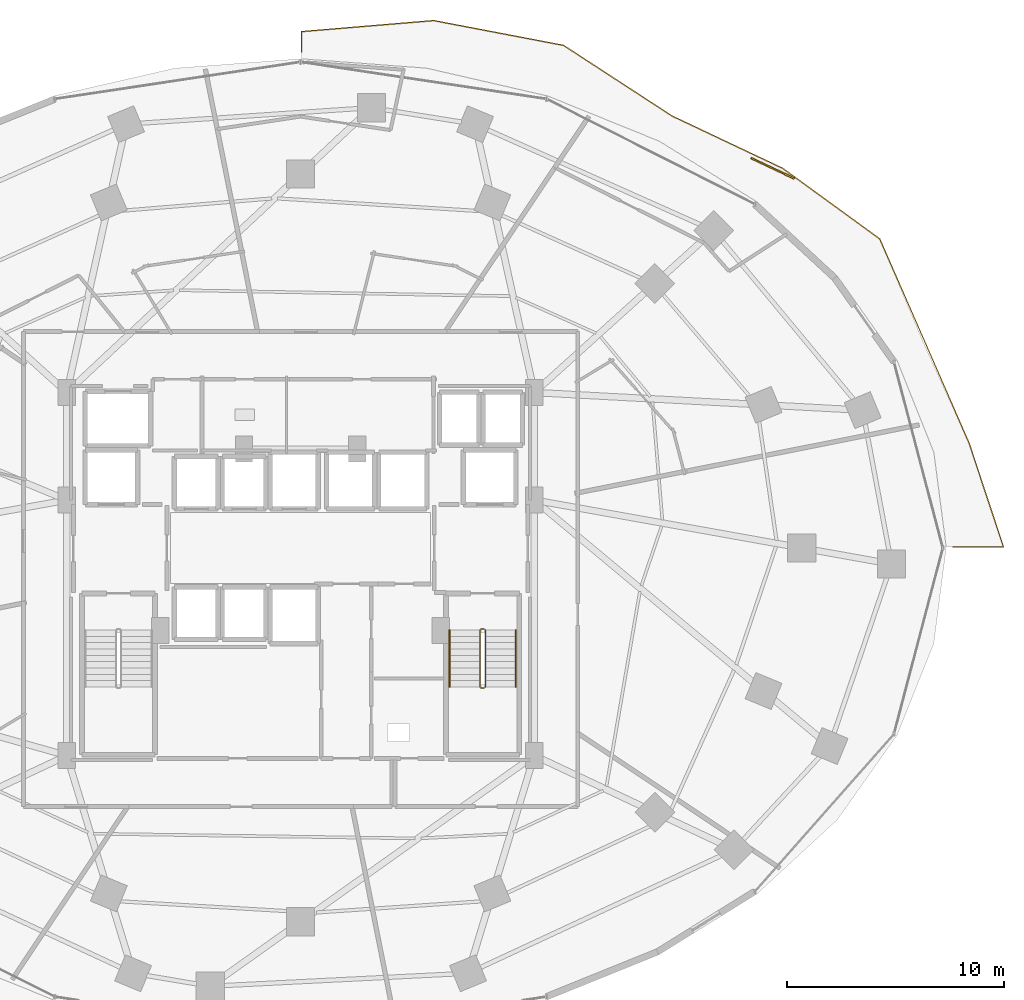
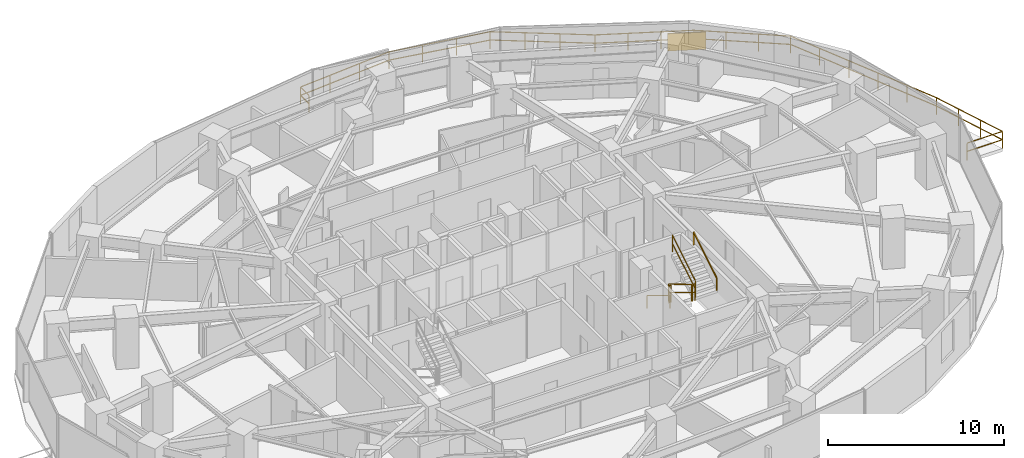
# One storey, part 32 of 33: 8 railings, 1 shading device.
"""IFC4 building model written with IfcOpenShell, lengths in metres."""

from ifc_helpers import new_model, si_unit, direction, frame, origin, origin_2d, place, context, subcontext, project, spatial, rectangle, extrude, material, type_object, element, save


model = new_model("IFC4")

# Units and contexts
model_context = context("Model", 3, precision=1e-05, world=origin(), true_north=direction((0.0, 1.0)))
body_context = subcontext(model_context, "Body", "Model", "MODEL_VIEW")
ifc_project = project(units=[si_unit("LENGTHUNIT", "METRE"), si_unit("AREAUNIT", "SQUARE_METRE"), si_unit("VOLUMEUNIT", "CUBIC_METRE"), si_unit("PLANEANGLEUNIT", "RADIAN"), si_unit("MASSUNIT", "GRAM", prefix="KILO")], contexts=[model_context])

# Site, building, storey
site_placement = place(None, origin())
site = spatial("IfcSite", under=ifc_project, at=site_placement, CompositionType="ELEMENT")
building_placement = place(site_placement, origin())
building = spatial("IfcBuilding", under=site, at=building_placement, Name="Vorneva Point Tower", CompositionType="ELEMENT")
storey_placement = place(building_placement, frame((0.0, 0.0, 34.5)))
storey = spatial("IfcBuildingStorey", under=building, at=storey_placement, Name="L08", CompositionType="ELEMENT", Elevation=34.5)

# Railings
ifc_material_1 = material(Name="Pale anodised aluminium", Category="aluminium")
railing_type_1 = type_object("IfcRailingType", Name="RL-BAL-1200", PredefinedType="BALUSTRADE", material=ifc_material_1)
railing_1_placement = place(storey_placement, frame((38.050048828125, 49.754150390625, 0.0)))
element("IfcRailing", 1, at=railing_1_placement, inside=storey, type_object=railing_type_1, Name="L08 Wave Balcony Balustrade NE.1", PredefinedType="BALUSTRADE", context=body_context, shape_type="SweptSolid", body=[
    extrude(rectangle(XDim=0.048095703125, YDim=0.048095703125, at=origin_2d()), frame((0.0, 0.0, 1.17578125), z_axis=(0.0, -1.0, 0.0), x_axis=(1.0, 0.0, 0.0)), (0.0, 0.0, 1.0), 0.93701171875),
    extrude(rectangle(XDim=0.048095703125, YDim=0.048095703125, at=origin_2d()), frame((0.0, 0.0, 0.60009765625), z_axis=(0.0, -1.0, 0.0), x_axis=(1.0, 0.0, 0.0)), (0.0, 0.0, 1.0), 0.93701171875),
    extrude(rectangle(XDim=0.0419921875, YDim=0.0419921875, at=origin_2d()), origin(), (0.0, 0.0, 1.0), 1.15185546875),
    extrude(rectangle(XDim=0.0419921875, YDim=0.0419921875, at=origin_2d()), frame((0.0, -0.93701171875, 0.0)), (0.0, 0.0, 1.0), 1.15185546875),
])
railing_2_placement = place(storey_placement, frame((68.01611328125, 26.050048828125, 0.0)))
element("IfcRailing", 2, at=railing_2_placement, inside=storey, type_object=railing_type_1, Name="L08 Wave Balcony Balustrade NE.2", PredefinedType="BALUSTRADE", context=body_context, shape_type="SweptSolid", body=[
    extrude(rectangle(XDim=0.048095703125, YDim=0.048095703125, at=origin_2d()), frame((0.0, 0.0, 1.17578125), z_axis=(1.0, 0.0, 0.0), x_axis=(0.0, 1.0, 0.0)), (0.0, 0.0, 1.0), 2.3173828125),
    extrude(rectangle(XDim=0.048095703125, YDim=0.048095703125, at=origin_2d()), frame((0.0, 0.0, 0.60009765625), z_axis=(1.0, 0.0, 0.0), x_axis=(0.0, 1.0, 0.0)), (0.0, 0.0, 1.0), 2.3173828125),
    extrude(rectangle(XDim=0.048095703125, YDim=0.048095703125, at=origin_2d()), frame((2.3173828125, 0.0, 1.17578125), z_axis=(-0.314126331711, 0.949381192001, 0.0), x_axis=(-0.949381192001, -0.314126331711, 0.0)), (0.0, 0.0, 1.0), 5.020751953125),
    extrude(rectangle(XDim=0.048095703125, YDim=0.048095703125, at=origin_2d()), frame((2.3173828125, 0.0, 0.60009765625), z_axis=(-0.314126331711, 0.949381192001, 0.0), x_axis=(-0.949381192001, -0.314126331711, 0.0)), (0.0, 0.0, 1.0), 5.020751953125),
    extrude(rectangle(XDim=0.048095703125, YDim=0.048095703125, at=origin_2d()), frame((0.740234375, 4.7666015625, 1.17578125), z_axis=(-0.40091368096, 0.916115833516, 0.0), x_axis=(-0.916115833516, -0.40091368096, 0.0)), (0.0, 0.0, 1.0), 10.26220703125),
    extrude(rectangle(XDim=0.048095703125, YDim=0.048095703125, at=origin_2d()), frame((0.740234375, 4.7666015625, 0.60009765625), z_axis=(-0.40091368096, 0.916115833516, 0.0), x_axis=(-0.916115833516, -0.40091368096, 0.0)), (0.0, 0.0, 1.0), 10.26220703125),
    extrude(rectangle(XDim=0.048095703125, YDim=0.048095703125, at=origin_2d()), frame((-3.3740234375, 14.16796875, 1.17578125), z_axis=(-0.808736084303, 0.588171697675, 0.0), x_axis=(-0.588171697675, -0.808736084303, 0.0)), (0.0, 0.0, 1.0), 5.51904296875),
    extrude(rectangle(XDim=0.048095703125, YDim=0.048095703125, at=origin_2d()), frame((-3.3740234375, 14.16796875, 0.60009765625), z_axis=(-0.808736084303, 0.588171697675, 0.0), x_axis=(-0.588171697675, -0.808736084303, 0.0)), (0.0, 0.0, 1.0), 5.51904296875),
    extrude(rectangle(XDim=0.048095703125, YDim=0.048095703125, at=origin_2d()), frame((-7.83740234375, 17.4140625, 1.17578125), z_axis=(-0.904021080229, 0.427487878778, 0.0), x_axis=(-0.427487878778, -0.904021080229, 0.0)), (0.0, 0.0, 1.0), 5.6298828125),
    extrude(rectangle(XDim=0.048095703125, YDim=0.048095703125, at=origin_2d()), frame((-7.83740234375, 17.4140625, 0.60009765625), z_axis=(-0.904021080229, 0.427487878778, 0.0), x_axis=(-0.427487878778, -0.904021080229, 0.0)), (0.0, 0.0, 1.0), 5.6298828125),
    extrude(rectangle(XDim=0.048095703125, YDim=0.048095703125, at=origin_2d()), frame((-12.927001953125, 19.82080078125, 1.17578125), z_axis=(-0.83807349006, 0.545557352859, 0.0), x_axis=(-0.545557352859, -0.83807349006, 0.0)), (0.0, 0.0, 1.0), 5.955810546875),
    extrude(rectangle(XDim=0.048095703125, YDim=0.048095703125, at=origin_2d()), frame((-12.927001953125, 19.82080078125, 0.60009765625), z_axis=(-0.83807349006, 0.545557352859, 0.0), x_axis=(-0.545557352859, -0.83807349006, 0.0)), (0.0, 0.0, 1.0), 5.955810546875),
    extrude(rectangle(XDim=0.048095703125, YDim=0.048095703125, at=origin_2d()), frame((-17.91845703125, 23.070068359375, 1.17578125), z_axis=(-0.982249899768, 0.187577009267, 0.0), x_axis=(-0.187577009267, -0.982249899768, 0.0)), (0.0, 0.0, 1.0), 6.080810546875),
    extrude(rectangle(XDim=0.048095703125, YDim=0.048095703125, at=origin_2d()), frame((-17.91845703125, 23.070068359375, 0.60009765625), z_axis=(-0.982249899768, 0.187577009267, 0.0), x_axis=(-0.187577009267, -0.982249899768, 0.0)), (0.0, 0.0, 1.0), 6.080810546875),
    extrude(rectangle(XDim=0.048095703125, YDim=0.048095703125, at=origin_2d()), frame((-23.891357421875, 24.210693359375, 1.17578125), z_axis=(-0.996540784652, -0.083105141393, 0.0), x_axis=(0.083105141393, -0.996540784652, 0.0)), (0.0, 0.0, 1.0), 6.095703125),
    extrude(rectangle(XDim=0.048095703125, YDim=0.048095703125, at=origin_2d()), frame((-23.891357421875, 24.210693359375, 0.60009765625), z_axis=(-0.996540784652, -0.083105141393, 0.0), x_axis=(0.083105141393, -0.996540784652, 0.0)), (0.0, 0.0, 1.0), 6.095703125),
    extrude(rectangle(XDim=0.0419921875, YDim=0.0419921875, at=origin_2d()), origin(), (0.0, 0.0, 1.0), 1.15185546875),
    extrude(rectangle(XDim=0.0419921875, YDim=0.0419921875, at=origin_2d()), frame((2.3173828125, 0.0, 0.0)), (0.0, 0.0, 1.0), 1.15185546875),
    extrude(rectangle(XDim=0.0419921875, YDim=0.0419921875, at=origin_2d()), frame((1.791748046875, 1.5888671875, 0.0)), (0.0, 0.0, 1.0), 1.15185546875),
    extrude(rectangle(XDim=0.0419921875, YDim=0.0419921875, at=origin_2d()), frame((1.265869140625, 3.177734375, 0.0)), (0.0, 0.0, 1.0), 1.15185546875),
    extrude(rectangle(XDim=0.0419921875, YDim=0.0419921875, at=origin_2d()), frame((0.740234375, 4.7666015625, 0.0)), (0.0, 0.0, 1.0), 1.15185546875),
    extrude(rectangle(XDim=0.0419921875, YDim=0.0419921875, at=origin_2d()), frame((-0.08251953125, 6.64697265625, 0.0)), (0.0, 0.0, 1.0), 1.15185546875),
    extrude(rectangle(XDim=0.0419921875, YDim=0.0419921875, at=origin_2d()), frame((-0.905517578125, 8.527099609375, 0.0)), (0.0, 0.0, 1.0), 1.15185546875),
    extrude(rectangle(XDim=0.0419921875, YDim=0.0419921875, at=origin_2d()), frame((-1.728271484375, 10.407470703125, 0.0)), (0.0, 0.0, 1.0), 1.15185546875),
    extrude(rectangle(XDim=0.0419921875, YDim=0.0419921875, at=origin_2d()), frame((-2.55126953125, 12.28759765625, 0.0)), (0.0, 0.0, 1.0), 1.15185546875),
    extrude(rectangle(XDim=0.0419921875, YDim=0.0419921875, at=origin_2d()), frame((-3.3740234375, 14.16796875, 0.0)), (0.0, 0.0, 1.0), 1.15185546875),
    extrude(rectangle(XDim=0.0419921875, YDim=0.0419921875, at=origin_2d()), frame((-4.86181640625, 15.25, 0.0)), (0.0, 0.0, 1.0), 1.15185546875),
    extrude(rectangle(XDim=0.0419921875, YDim=0.0419921875, at=origin_2d()), frame((-6.349609375, 16.33203125, 0.0)), (0.0, 0.0, 1.0), 1.15185546875),
    extrude(rectangle(XDim=0.0419921875, YDim=0.0419921875, at=origin_2d()), frame((-7.83740234375, 17.4140625, 0.0)), (0.0, 0.0, 1.0), 1.15185546875),
    extrude(rectangle(XDim=0.0419921875, YDim=0.0419921875, at=origin_2d()), frame((-9.533935546875, 18.21630859375, 0.0)), (0.0, 0.0, 1.0), 1.15185546875),
    extrude(rectangle(XDim=0.0419921875, YDim=0.0419921875, at=origin_2d()), frame((-11.23046875, 19.0185546875, 0.0)), (0.0, 0.0, 1.0), 1.15185546875),
    extrude(rectangle(XDim=0.0419921875, YDim=0.0419921875, at=origin_2d()), frame((-12.927001953125, 19.82080078125, 0.0)), (0.0, 0.0, 1.0), 1.15185546875),
    extrude(rectangle(XDim=0.0419921875, YDim=0.0419921875, at=origin_2d()), frame((-14.5908203125, 20.90380859375, 0.0)), (0.0, 0.0, 1.0), 1.15185546875),
    extrude(rectangle(XDim=0.0419921875, YDim=0.0419921875, at=origin_2d()), frame((-16.254638671875, 21.987060546875, 0.0)), (0.0, 0.0, 1.0), 1.15185546875),
    extrude(rectangle(XDim=0.0419921875, YDim=0.0419921875, at=origin_2d()), frame((-17.91845703125, 23.070068359375, 0.0)), (0.0, 0.0, 1.0), 1.15185546875),
    extrude(rectangle(XDim=0.0419921875, YDim=0.0419921875, at=origin_2d()), frame((-19.909423828125, 23.4501953125, 0.0)), (0.0, 0.0, 1.0), 1.15185546875),
    extrude(rectangle(XDim=0.0419921875, YDim=0.0419921875, at=origin_2d()), frame((-21.900390625, 23.83056640625, 0.0)), (0.0, 0.0, 1.0), 1.15185546875),
    extrude(rectangle(XDim=0.0419921875, YDim=0.0419921875, at=origin_2d()), frame((-23.891357421875, 24.210693359375, 0.0)), (0.0, 0.0, 1.0), 1.15185546875),
    extrude(rectangle(XDim=0.0419921875, YDim=0.0419921875, at=origin_2d()), frame((-25.916259765625, 24.041748046875, 0.0)), (0.0, 0.0, 1.0), 1.15185546875),
    extrude(rectangle(XDim=0.0419921875, YDim=0.0419921875, at=origin_2d()), frame((-27.941162109375, 23.873046875, 0.0)), (0.0, 0.0, 1.0), 1.15185546875),
    extrude(rectangle(XDim=0.0419921875, YDim=0.0419921875, at=origin_2d()), frame((-29.966064453125, 23.7041015625, 0.0)), (0.0, 0.0, 1.0), 1.15185546875),
])
ifc_material_2 = material(Name="Brushed stainless steel S304", Category="steel")
railing_type_2 = type_object("IfcRailingType", Name="RL-HND-920", PredefinedType="HANDRAIL", material=ifc_material_2)
railing_3_placement = place(storey_placement, frame((44.85009765625, 22.219970703125, 0.175048828125)))
element("IfcRailing", 3, at=railing_3_placement, inside=storey, type_object=railing_type_2, Name="L08 ST2 stair handrail 1", PredefinedType="HANDRAIL", context=body_context, shape_type="SweptSolid", body=[
    extrude(rectangle(XDim=0.048095703125, YDim=0.048095703125, at=origin_2d()), frame((0.0, 0.0, 0.8759765625), z_axis=(0.0, -0.85618277418, 0.516673066065), x_axis=(1.0, 0.0, 0.0)), (0.0, 0.0, 1.0), 3.04833984375),
    extrude(rectangle(XDim=0.0419921875, YDim=0.0419921875, at=origin_2d()), origin(), (0.0, 0.0, 1.0), 0.851806640625),
    extrude(rectangle(XDim=0.0419921875, YDim=0.0419921875, at=origin_2d()), frame((0.0, -2.60986328125, 1.574951171875)), (0.0, 0.0, 1.0), 0.851806640625),
])
railing_4_placement = place(storey_placement, frame((47.89990234375, 19.610107421875, 1.925048828125)))
element("IfcRailing", 4, at=railing_4_placement, inside=storey, type_object=railing_type_2, Name="L08 ST2 stair handrail 2", PredefinedType="HANDRAIL", context=body_context, shape_type="SweptSolid", body=[
    extrude(rectangle(XDim=0.048095703125, YDim=0.048095703125, at=origin_2d()), frame((0.0, 0.0, 0.8759765625), z_axis=(0.0, 0.85618277418, 0.516673066065), x_axis=(-1.0, 0.0, 0.0)), (0.0, 0.0, 1.0), 3.04833984375),
    extrude(rectangle(XDim=0.0419921875, YDim=0.0419921875, at=origin_2d()), origin(), (0.0, 0.0, 1.0), 0.851806640625),
    extrude(rectangle(XDim=0.0419921875, YDim=0.0419921875, at=origin_2d()), frame((0.0, 2.60986328125, 1.574951171875)), (0.0, 0.0, 1.0), 0.851806640625),
])
railing_type_3 = type_object("IfcRailingType", Name="RL-STG-1100", PredefinedType="GUARDRAIL", material=ifc_material_2)
railing_5_placement = place(storey_placement, frame((46.25, 22.219970703125, 0.175048828125)))
element("IfcRailing", 5, at=railing_5_placement, inside=storey, type_object=railing_type_3, Name="L08 ST2 stair guard 1", PredefinedType="GUARDRAIL", context=body_context, shape_type="SweptSolid", body=[
    extrude(rectangle(XDim=0.048095703125, YDim=0.048095703125, at=origin_2d()), frame((0.0, 0.0, 1.17578125), z_axis=(0.0, -0.85618277418, 0.516673066065), x_axis=(1.0, 0.0, 0.0)), (0.0, 0.0, 1.0), 3.04833984375),
    extrude(rectangle(XDim=0.048095703125, YDim=0.048095703125, at=origin_2d()), frame((0.0, 0.0, 0.60009765625), z_axis=(0.0, -0.85618277418, 0.516673066065), x_axis=(1.0, 0.0, 0.0)), (0.0, 0.0, 1.0), 3.04833984375),
    extrude(rectangle(XDim=0.0419921875, YDim=0.0419921875, at=origin_2d()), origin(), (0.0, 0.0, 1.0), 1.15185546875),
    extrude(rectangle(XDim=0.0419921875, YDim=0.0419921875, at=origin_2d()), frame((0.0, -2.60986328125, 1.574951171875)), (0.0, 0.0, 1.0), 1.15185546875),
])
railing_6_placement = place(storey_placement, frame((46.300048828125, 19.56005859375, 1.75)))
element("IfcRailing", 6, at=railing_6_placement, inside=storey, type_object=railing_type_3, Name="L08 ST2 stair guard 2", PredefinedType="GUARDRAIL", context=body_context, shape_type="SweptSolid", body=[
    extrude(rectangle(XDim=0.048095703125, YDim=0.048095703125, at=origin_2d()), frame((0.0, 0.0, 1.17578125), z_axis=(1.0, 0.0, 0.0), x_axis=(0.0, 1.0, 0.0)), (0.0, 0.0, 1.0), 0.14990234375),
    extrude(rectangle(XDim=0.048095703125, YDim=0.048095703125, at=origin_2d()), frame((0.0, 0.0, 0.60009765625), z_axis=(1.0, 0.0, 0.0), x_axis=(0.0, 1.0, 0.0)), (0.0, 0.0, 1.0), 0.14990234375),
    extrude(rectangle(XDim=0.0419921875, YDim=0.0419921875, at=origin_2d()), origin(), (0.0, 0.0, 1.0), 1.15185546875),
    extrude(rectangle(XDim=0.0419921875, YDim=0.0419921875, at=origin_2d()), frame((0.14990234375, 0.0, 0.0)), (0.0, 0.0, 1.0), 1.15185546875),
])
railing_7_placement = place(storey_placement, frame((46.5, 19.610107421875, 1.925048828125)))
element("IfcRailing", 7, at=railing_7_placement, inside=storey, type_object=railing_type_3, Name="L08 ST2 stair guard 3", PredefinedType="GUARDRAIL", context=body_context, shape_type="SweptSolid", body=[
    extrude(rectangle(XDim=0.048095703125, YDim=0.048095703125, at=origin_2d()), frame((0.0, 0.0, 1.17578125), z_axis=(0.0, 0.85618277418, 0.516673066065), x_axis=(-1.0, 0.0, 0.0)), (0.0, 0.0, 1.0), 3.04833984375),
    extrude(rectangle(XDim=0.048095703125, YDim=0.048095703125, at=origin_2d()), frame((0.0, 0.0, 0.60009765625), z_axis=(0.0, 0.85618277418, 0.516673066065), x_axis=(-1.0, 0.0, 0.0)), (0.0, 0.0, 1.0), 3.04833984375),
    extrude(rectangle(XDim=0.0419921875, YDim=0.0419921875, at=origin_2d()), origin(), (0.0, 0.0, 1.0), 1.15185546875),
    extrude(rectangle(XDim=0.0419921875, YDim=0.0419921875, at=origin_2d()), frame((0.0, 2.60986328125, 1.574951171875)), (0.0, 0.0, 1.0), 1.15185546875),
])
railing_8_placement = place(storey_placement, frame((46.300048828125, 22.27001953125, 0.0)))
element("IfcRailing", 8, at=railing_8_placement, inside=storey, type_object=railing_type_3, Name="L08 ST2 stair guard 4", PredefinedType="GUARDRAIL", context=body_context, shape_type="SweptSolid", body=[
    extrude(rectangle(XDim=0.048095703125, YDim=0.048095703125, at=origin_2d()), frame((0.0, 0.0, 1.17578125), z_axis=(1.0, 0.0, 0.0), x_axis=(0.0, 1.0, 0.0)), (0.0, 0.0, 1.0), 0.14990234375),
    extrude(rectangle(XDim=0.048095703125, YDim=0.048095703125, at=origin_2d()), frame((0.0, 0.0, 0.60009765625), z_axis=(1.0, 0.0, 0.0), x_axis=(0.0, 1.0, 0.0)), (0.0, 0.0, 1.0), 0.14990234375),
    extrude(rectangle(XDim=0.0419921875, YDim=0.0419921875, at=origin_2d()), origin(), (0.0, 0.0, 1.0), 1.15185546875),
    extrude(rectangle(XDim=0.0419921875, YDim=0.0419921875, at=origin_2d()), frame((0.14990234375, 0.0, 0.0)), (0.0, 0.0, 1.0), 1.15185546875),
])

# Shading device
shading_device_type = type_object("IfcShadingDeviceType", Name="SHD-JAL-1200", PredefinedType="JALOUSIE", material=ifc_material_1)
shading_device_placement = place(storey_placement, frame((59.716796875, 43.463623046875, -0.02001953125), z_axis=(0.0, 0.0, 1.0), x_axis=(-0.904022870434, 0.427484092959, 0.0)))
element("IfcShadingDevice", 9, at=shading_device_placement, inside=storey, type_object=shading_device_type, Name="L08 Balcony Vertical-Greenery Planter Screen NE.2", PredefinedType="JALOUSIE", context=body_context, shape_type="SweptSolid", body=[
    extrude(rectangle(XDim=2.199951171875, YDim=0.080078125, at=origin_2d()), origin(), (0.0, 0.0, 1.0), 1.199951171875),
])

save(model, "model.ifc")
